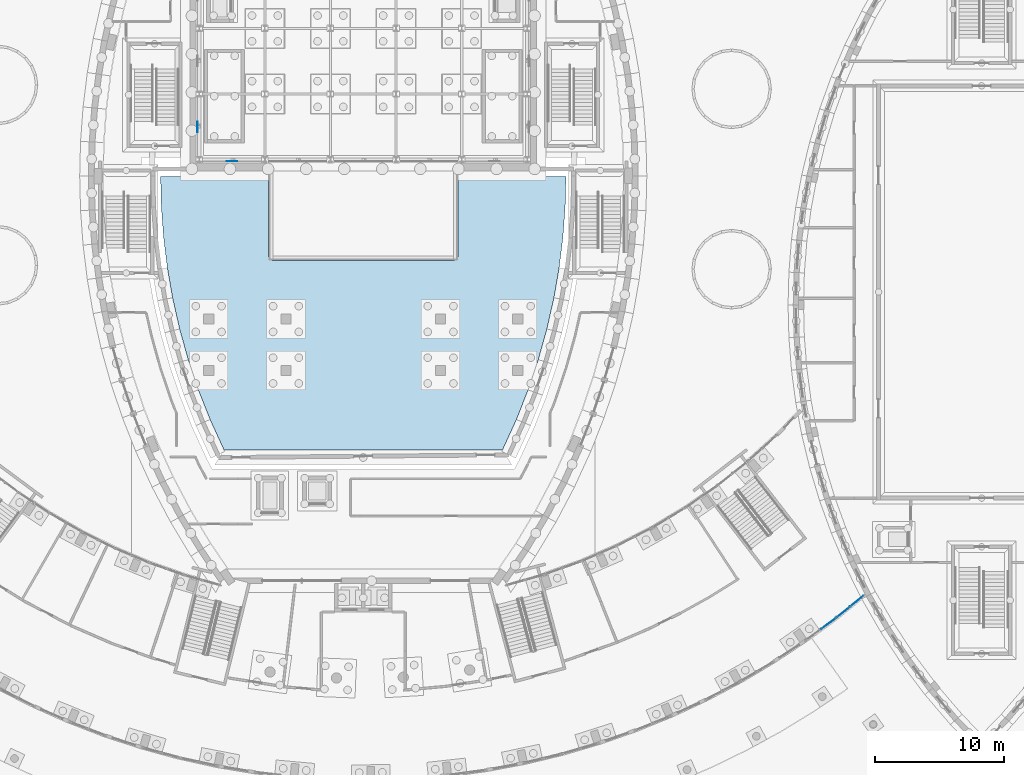
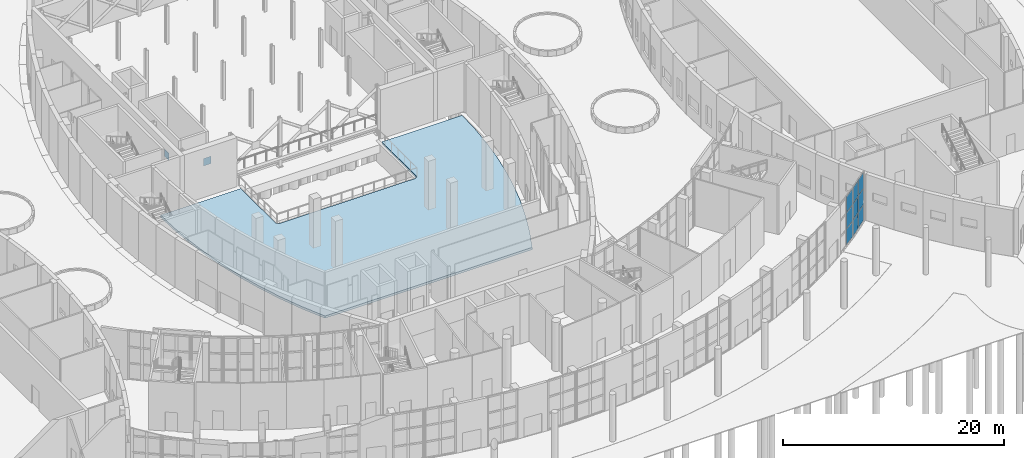
# One storey, part 33 of 82: 11 plates, 1 slab, 2 elements without a shape of their own.
"""IFC4 building model written with IfcOpenShell, lengths in metres."""

from ifc_helpers import new_model, si_unit, direction, frame, origin, origin_2d, place, context, subcontext, project, spatial, polyline, rectangle, outline, extrude, material, layer, layer_set, type_object, element, aggregate, save


model = new_model("IFC4")

# Units and contexts
model_context = context("Model", 3, precision=1e-05, world=origin(), true_north=direction((0.0, 1.0)))
body_context = subcontext(model_context, "Body", "Model", "MODEL_VIEW")
ifc_project = project(units=[si_unit("LENGTHUNIT", "METRE"), si_unit("AREAUNIT", "SQUARE_METRE"), si_unit("VOLUMEUNIT", "CUBIC_METRE"), si_unit("PLANEANGLEUNIT", "RADIAN"), si_unit("MASSUNIT", "GRAM", prefix="KILO")], contexts=[model_context])

# Site, building, storey
site_placement = place(None, origin())
site = spatial("IfcSite", under=ifc_project, at=site_placement, CompositionType="ELEMENT")
building_placement = place(site_placement, origin())
building = spatial("IfcBuilding", under=site, at=building_placement, Name="Tide Square Theatres", CompositionType="ELEMENT")
storey_placement = place(building_placement, origin())
storey = spatial("IfcBuildingStorey", under=building, at=storey_placement, Name="L00", CompositionType="ELEMENT", Elevation=0.0)

# Curtain wall, plates
ifc_material_1 = material(Name="Aluminium 6063-T5", Category="aluminium")
curtain_wall_type = type_object("IfcCurtainWallType", Name="Unitised system curtain wall 5400 high", PredefinedType="USERDEFINED", material=ifc_material_1)
curtain_wall_1_placement = place(storey_placement, origin())
curtain_wall_1 = element("IfcCurtainWall", 1, at=curtain_wall_1_placement, inside=storey, type_object=curtain_wall_type, Name="Foyer outer curtain wall", ObjectType="UNITISED SYSTEM", PredefinedType="USERDEFINED")
ifc_material_2 = material(Name="Double-glazed unit with aluminium frame", Category="aluminium")
ifc_layer_1 = layer(ifc_material_2, 0.030029296875)
ifc_layer_set_1 = layer_set([ifc_layer_1], Name="Double-glazed unit with aluminium frame")
plate_type_1 = type_object("IfcPlateType", Name="Curtain wall panel 30 thick", PredefinedType="CURTAIN_PANEL", material=ifc_layer_set_1)
plate_1_placement = place(storey_placement, frame((120.1162109375, 20.261962890625, 0.050048828125), z_axis=(0.0, 0.0, 1.0), x_axis=(0.804828419201, 0.593507553151, 0.0)))
plate_1 = element("IfcPlate", 2, at=plate_1_placement, type_object=plate_type_1, Name="CW-01 panel 2.1", PredefinedType="CURTAIN_PANEL", context=body_context, shape_type="SweptSolid", body=[
    extrude(rectangle(XDim=1.407958984375, YDim=0.030029296875, at=origin_2d()), origin(), (0.0, 0.0, 1.0), 1.72509765625),
])
plate_2_placement = place(storey_placement, frame((120.1162109375, 20.261962890625, 1.824951171875), z_axis=(0.0, 0.0, 1.0), x_axis=(0.804828419201, 0.593507553151, 0.0)))
plate_2 = element("IfcPlate", 3, at=plate_2_placement, type_object=plate_type_1, Name="CW-01 panel 2.2", PredefinedType="CURTAIN_PANEL", context=body_context, shape_type="SweptSolid", body=[
    extrude(rectangle(XDim=1.407958984375, YDim=0.030029296875, at=origin_2d()), origin(), (0.0, 0.0, 1.0), 1.75),
])
plate_3_placement = place(storey_placement, frame((120.1162109375, 20.261962890625, 3.625), z_axis=(0.0, 0.0, 1.0), x_axis=(0.804828419201, 0.593507553151, 0.0)))
plate_3 = element("IfcPlate", 4, at=plate_3_placement, type_object=plate_type_1, Name="CW-01 panel 2.3", PredefinedType="CURTAIN_PANEL", context=body_context, shape_type="SweptSolid", body=[
    extrude(rectangle(XDim=1.407958984375, YDim=0.030029296875, at=origin_2d()), origin(), (0.0, 0.0, 1.0), 1.72509765625),
])
aggregate(curtain_wall_1, [plate_1, plate_2, plate_3])

curtain_wall_2_placement = place(storey_placement, origin())
curtain_wall_2 = element("IfcCurtainWall", 5, at=curtain_wall_2_placement, inside=storey, type_object=curtain_wall_type, Name="Foyer outer curtain wall", ObjectType="UNITISED SYSTEM", PredefinedType="USERDEFINED")
plate_4_placement = place(storey_placement, frame((121.27490234375, 21.16015625, 0.050048828125), z_axis=(0.0, 0.0, 1.0), x_axis=(0.774130599799, 0.63302591926, 0.0)))
plate_4 = element("IfcPlate", 6, at=plate_4_placement, type_object=plate_type_1, Name="CW-01 panel 1.1", PredefinedType="CURTAIN_PANEL", context=body_context, shape_type="SweptSolid", body=[
    extrude(rectangle(XDim=1.28515625, YDim=0.030029296875, at=origin_2d()), origin(), (0.0, 0.0, 1.0), 1.72509765625),
])
plate_5_placement = place(storey_placement, frame((121.27490234375, 21.16015625, 1.824951171875), z_axis=(0.0, 0.0, 1.0), x_axis=(0.774130599799, 0.63302591926, 0.0)))
plate_5 = element("IfcPlate", 7, at=plate_5_placement, type_object=plate_type_1, Name="CW-01 panel 1.2", PredefinedType="CURTAIN_PANEL", context=body_context, shape_type="SweptSolid", body=[
    extrude(rectangle(XDim=1.28515625, YDim=0.030029296875, at=origin_2d()), origin(), (0.0, 0.0, 1.0), 1.75),
])
plate_6_placement = place(storey_placement, frame((121.27490234375, 21.16015625, 3.625), z_axis=(0.0, 0.0, 1.0), x_axis=(0.774130599799, 0.63302591926, 0.0)))
plate_6 = element("IfcPlate", 8, at=plate_6_placement, type_object=plate_type_1, Name="CW-01 panel 1.3", PredefinedType="CURTAIN_PANEL", context=body_context, shape_type="SweptSolid", body=[
    extrude(rectangle(XDim=1.28515625, YDim=0.030029296875, at=origin_2d()), origin(), (0.0, 0.0, 1.0), 1.72509765625),
])
plate_7_placement = place(storey_placement, frame((122.31640625, 22.01171875, 0.050048828125), z_axis=(0.0, 0.0, 1.0), x_axis=(0.774130599799, 0.63302591926, 0.0)))
plate_7 = element("IfcPlate", 9, at=plate_7_placement, type_object=plate_type_1, Name="CW-01 panel 2.1", PredefinedType="CURTAIN_PANEL", context=body_context, shape_type="SweptSolid", body=[
    extrude(rectangle(XDim=1.28515625, YDim=0.030029296875, at=origin_2d()), origin(), (0.0, 0.0, 1.0), 1.72509765625),
])
plate_8_placement = place(storey_placement, frame((122.31640625, 22.01171875, 1.824951171875), z_axis=(0.0, 0.0, 1.0), x_axis=(0.774130599799, 0.63302591926, 0.0)))
plate_8 = element("IfcPlate", 10, at=plate_8_placement, type_object=plate_type_1, Name="CW-01 panel 2.2", PredefinedType="CURTAIN_PANEL", context=body_context, shape_type="SweptSolid", body=[
    extrude(rectangle(XDim=1.28515625, YDim=0.030029296875, at=origin_2d()), origin(), (0.0, 0.0, 1.0), 1.75),
])
plate_9_placement = place(storey_placement, frame((122.31640625, 22.01171875, 3.625), z_axis=(0.0, 0.0, 1.0), x_axis=(0.774130599799, 0.63302591926, 0.0)))
plate_9 = element("IfcPlate", 11, at=plate_9_placement, type_object=plate_type_1, Name="CW-01 panel 2.3", PredefinedType="CURTAIN_PANEL", context=body_context, shape_type="SweptSolid", body=[
    extrude(rectangle(XDim=1.28515625, YDim=0.030029296875, at=origin_2d()), origin(), (0.0, 0.0, 1.0), 1.72509765625),
])
aggregate(curtain_wall_2, [plate_4, plate_5, plate_6, plate_7, plate_8, plate_9])

# Slab
ifc_material_3 = material(Name="Concrete C35", Category="concrete")
ifc_layer_2 = layer(ifc_material_3, 0.25)
ifc_layer_set_2 = layer_set([ifc_layer_2], Name="Concrete C35")
slab_type = type_object("IfcSlabType", Name="RC baseslab slab 250", PredefinedType="BASESLAB", material=ifc_layer_set_2)
slab_placement = place(storey_placement, frame((0.0, 0.0, -0.25)))
element("IfcSlab", 12, at=slab_placement, inside=storey, type_object=slab_type, Name="Stalls floor slab", PredefinedType="BASESLAB", context=body_context, shape_type="SweptSolid", body=[
    extrude(outline(polyline([(68.267822265625, 54.949951171875), (68.3251953125, 52.622314453125), (68.500244140625, 50.25048828125), (68.791748046875, 47.889892578125), (69.198486328125, 45.549560546875), (69.744873046875, 43.130615234375), (70.41357421875, 40.745361328125), (71.20361328125, 38.397705078125), (72.10986328125, 36.099853515625), (73.18603515625, 33.75), (94.81396484375, 33.75), (95.89013671875, 36.099853515625), (96.79638671875, 38.397705078125), (97.58642578125, 40.745361328125), (98.255126953125, 43.130615234375), (98.801513671875, 45.549560546875), (99.208251953125, 47.889892578125), (99.499755859375, 50.25048828125), (99.6748046875, 52.622314453125), (99.732177734375, 54.949951171875), (91.35009765625, 54.949951171875), (91.35009765625, 48.800048828125), (91.348388671875, 48.765625), (91.34326171875, 48.731689453125), (91.3349609375, 48.698486328125), (91.323486328125, 48.666015625), (91.30859375, 48.635009765625), (91.291015625, 48.605712890625), (91.2705078125, 48.577880859375), (91.24755859375, 48.552490234375), (91.221923828125, 48.529296875), (91.1943359375, 48.509033203125), (91.1650390625, 48.4912109375), (91.1337890625, 48.4765625), (91.1015625, 48.465087890625), (91.068359375, 48.456787109375), (91.0341796875, 48.45166015625), (91.0, 48.449951171875), (77.0, 48.449951171875), (76.9658203125, 48.45166015625), (76.931640625, 48.456787109375), (76.8984375, 48.465087890625), (76.8662109375, 48.4765625), (76.8349609375, 48.4912109375), (76.8056640625, 48.509033203125), (76.778076171875, 48.529296875), (76.75244140625, 48.552490234375), (76.7294921875, 48.577880859375), (76.708984375, 48.605712890625), (76.69140625, 48.635009765625), (76.676513671875, 48.666015625), (76.6650390625, 48.698486328125), (76.65673828125, 48.731689453125), (76.651611328125, 48.765625), (76.64990234375, 48.800048828125), (76.64990234375, 54.949951171875), (68.267822265625, 54.949951171875)])), origin(), (0.0, 0.0, 1.0), 0.25),
])

# Plates
ifc_material_4 = material(Name="Steel ASTM A572 Grade 50", Category="steel")
ifc_layer_3 = layer(ifc_material_4, 0.010009765625)
ifc_layer_set_3 = layer_set([ifc_layer_3], Name="Steel ASTM A572 Grade 50")
plate_type_2 = type_object("IfcPlateType", Name="Steel end plate 10 thick", PredefinedType="USERDEFINED", material=ifc_layer_set_3)
for number, where, z_axis, x_axis, name in (
    (13, (73.82080078125, 56.136474609375, 2.890625), (0.0, 0.0, 1.0), (0.0, -1.0, 0.0), "Fly tower brace crossing node plate"),
    (14, (71.136474609375, 58.82080078125, 2.890625), (0.0, 0.0, 1.0), (-1.0, 0.0, 0.0), "Fly tower brace crossing node plate"),
):
    element("IfcPlate", number, at=place(storey_placement, frame(where, z_axis=z_axis, x_axis=x_axis)), inside=storey, type_object=plate_type_2, Name=name, ObjectType="END PLATE", PredefinedType="USERDEFINED", context=body_context, shape_type="SweptSolid", body=[
        extrude(rectangle(XDim=0.010009765625, YDim=0.819091796875, at=origin_2d()), origin(), (0.0, 0.0, 1.0), 0.819091796875),
    ])

save(model, "model.ifc")
